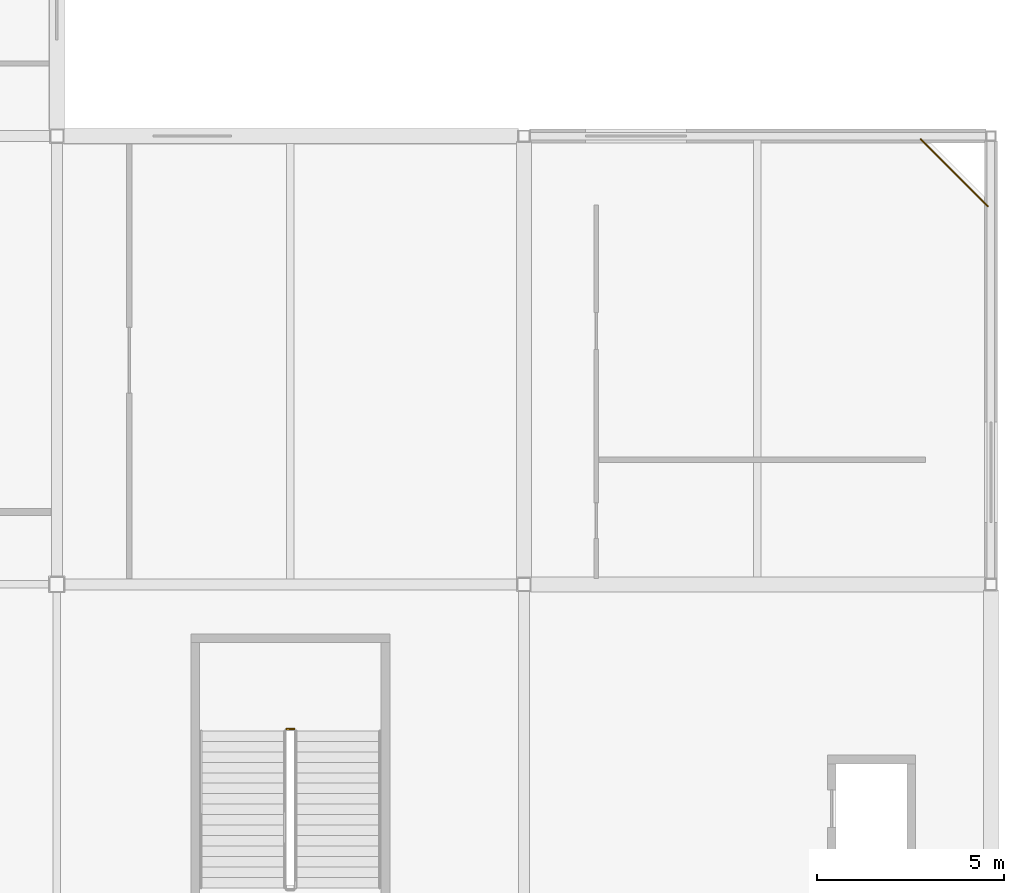
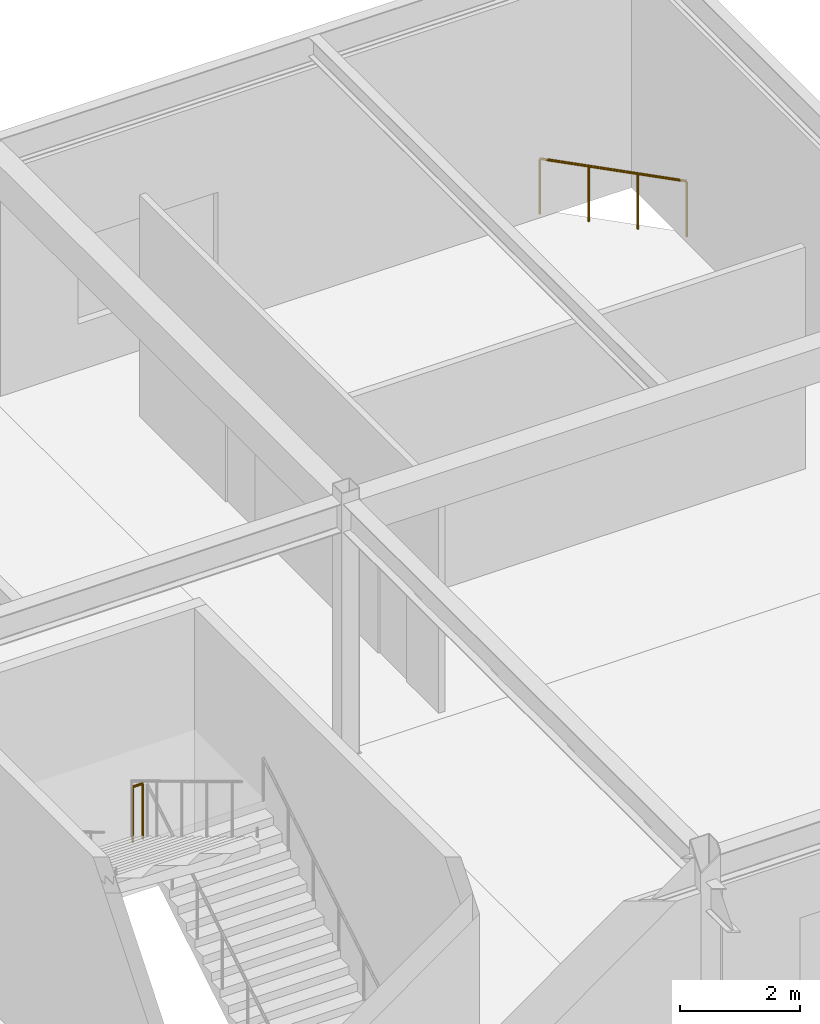
# One storey, part 105 of 105: 2 railings.
"""IFC4 building model written with IfcOpenShell, lengths in metres."""

from ifc_helpers import new_model, si_unit, direction, frame, origin, origin_2d, place, context, subcontext, project, spatial, circle, extrude, material, layer, layer_set, type_object, element, save


model = new_model("IFC4")

# Units and contexts
model_context = context("Model", 3, precision=1e-05, world=origin(), true_north=direction((0.0, 1.0)))
body_context = subcontext(model_context, "Body", "Model", "MODEL_VIEW")
ifc_project = project(units=[si_unit("LENGTHUNIT", "METRE"), si_unit("AREAUNIT", "SQUARE_METRE"), si_unit("VOLUMEUNIT", "CUBIC_METRE"), si_unit("PLANEANGLEUNIT", "RADIAN"), si_unit("MASSUNIT", "GRAM", prefix="KILO")], contexts=[model_context])

# Site, building, storey
site_placement = place(None, origin())
site = spatial("IfcSite", under=ifc_project, at=site_placement, CompositionType="ELEMENT")
building_placement = place(site_placement, origin())
building = spatial("IfcBuilding", under=site, at=building_placement, Name="Kazenohara Klinker Stadium", CompositionType="ELEMENT")
storey_placement = place(building_placement, frame((0.0, 0.0, 20.39990234375)))
storey = spatial("IfcBuildingStorey", under=building, at=storey_placement, Name="L04", CompositionType="ELEMENT", Elevation=20.39990234375)

# Railings
ifc_material_1 = material(Name="Galvanised powder-coated steel guardrail", Category="steel")
ifc_layer_1 = layer(ifc_material_1, 0.070068359375)
ifc_layer_set_1 = layer_set([ifc_layer_1], Name="Galvanised powder-coated steel guardrail")
railing_type_1 = type_object("IfcRailingType", Name="RL-GRD-1150", PredefinedType="GUARDRAIL", material=ifc_layer_set_1)
railing_1_placement = place(storey_placement, frame((199.919921875, 154.1201171875, 0.0)))
element("IfcRailing", 1, at=railing_1_placement, inside=storey, type_object=railing_type_1, Name="Corner chamfer slab-edge guardrail GR01-SLB-L04-15-12", PredefinedType="GUARDRAIL", context=body_context, shape_type="SweptSolid", body=[
    extrude(circle(Radius=0.02392578125, at=origin_2d()), frame((0.0, 0.0, 1.1259765625), z_axis=(-0.707106781187, 0.707106781187, 0.0), x_axis=(-0.707106781187, -0.707106781187, 0.0)), (0.0, 0.0, 1.0), 2.54541015625),
    extrude(circle(Radius=0.02099609375, at=origin_2d()), origin(), (0.0, 0.0, 1.0), 1.101806640625),
    extrude(circle(Radius=0.02099609375, at=origin_2d()), frame((-0.599853515625, 0.599853515625, 0.0)), (0.0, 0.0, 1.0), 1.101806640625),
    extrude(circle(Radius=0.02099609375, at=origin_2d()), frame((-1.199951171875, 1.199951171875, 0.0)), (0.0, 0.0, 1.0), 1.101806640625),
    extrude(circle(Radius=0.02099609375, at=origin_2d()), frame((-1.7998046875, 1.7998046875, 0.0)), (0.0, 0.0, 1.0), 1.101806640625),
])
ifc_material_2 = material(Name="Painted steel stairwell guardrail", Category="steel")
ifc_layer_2 = layer(ifc_material_2, 0.06005859375)
ifc_layer_set_2 = layer_set([ifc_layer_2], Name="Painted steel stairwell guardrail")
railing_type_2 = type_object("IfcRailingType", Name="RL-STG-1120", PredefinedType="GUARDRAIL", material=ifc_layer_set_2)
railing_2_placement = place(storey_placement, frame((181.35009765625, 140.1298828125, 2.7001953125)))
element("IfcRailing", 2, at=railing_2_placement, inside=storey, type_object=railing_type_2, Name="L04 ST12 stair guard 2", PredefinedType="GUARDRAIL", context=body_context, shape_type="SweptSolid", body=[
    extrude(circle(Radius=0.02392578125, at=origin_2d()), frame((0.0, 0.0, 1.1259765625), z_axis=(-1.0, 0.0, 0.0), x_axis=(0.0, -1.0, 0.0)), (0.0, 0.0, 1.0), 0.2001953125),
    extrude(circle(Radius=0.02099609375, at=origin_2d()), origin(), (0.0, 0.0, 1.0), 1.101806640625),
    extrude(circle(Radius=0.02099609375, at=origin_2d()), frame((-0.2001953125, 0.0, 0.0)), (0.0, 0.0, 1.0), 1.101806640625),
])

save(model, "model.ifc")
